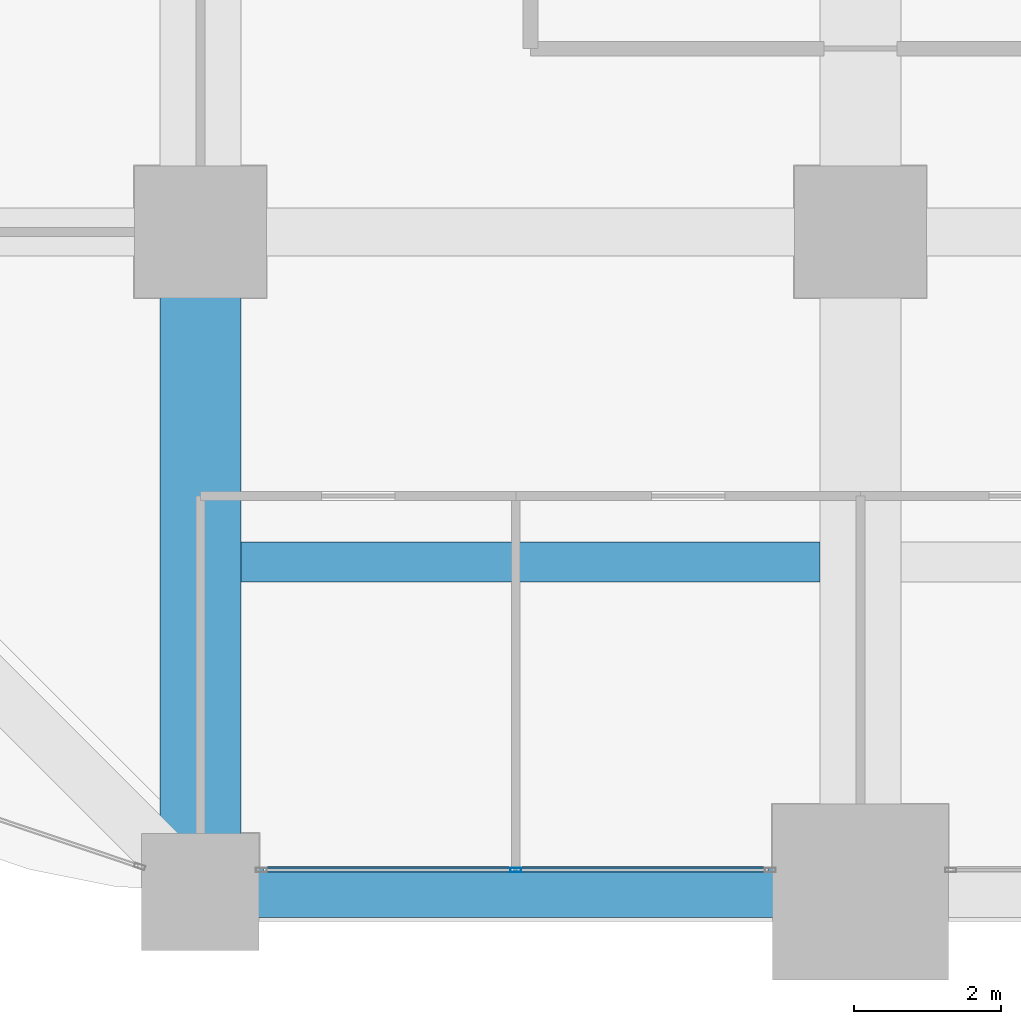
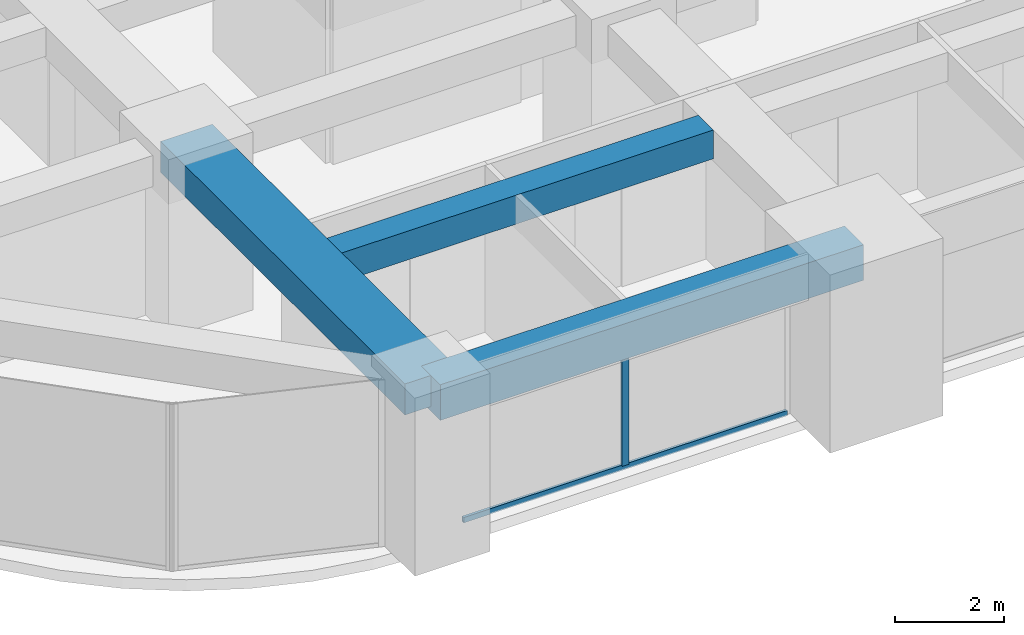
# One storey, part 3 of 40: 3 beams, 2 members, 1 element without a shape of its own.
"""IFC4 building model written with IfcOpenShell, lengths in metres."""

from ifc_helpers import new_model, si_unit, direction, frame, origin, origin_2d, place, context, subcontext, project, spatial, rectangle, hollow_rectangle, extrude, material, material_profile, profile_set, type_object, element, aggregate, save


model = new_model("IFC4")

# Units and contexts
model_context = context("Model", 3, precision=1e-05, world=origin(), true_north=direction((0.0, 1.0)))
body_context = subcontext(model_context, "Body", "Model", "MODEL_VIEW")
ifc_project = project(units=[si_unit("LENGTHUNIT", "METRE"), si_unit("AREAUNIT", "SQUARE_METRE"), si_unit("VOLUMEUNIT", "CUBIC_METRE"), si_unit("PLANEANGLEUNIT", "RADIAN"), si_unit("MASSUNIT", "GRAM", prefix="KILO")], contexts=[model_context])

# Site, building, storey
site_placement = place(None, origin())
site = spatial("IfcSite", under=ifc_project, at=site_placement, CompositionType="ELEMENT")
building_placement = place(site_placement, origin())
building = spatial("IfcBuilding", under=site, at=building_placement, Name="Zorevar Civic Tower", CompositionType="ELEMENT")
storey_placement = place(building_placement, frame((0.0, 0.0, 129.0)))
storey = spatial("IfcBuildingStorey", under=building, at=storey_placement, Name="L31", CompositionType="ELEMENT", Elevation=129.0)

# Beams
ifc_material_1 = material(Name="Concrete C50/60", Category="concrete")
ifc_material_profile_1 = material_profile(ifc_material_1, rectangle(XDim=1.10009765625, YDim=0.699951171875, at=origin_2d()), Name="RC 1100x700")
ifc_profile_set_1 = profile_set([ifc_material_profile_1], Name="Concrete C50/60")
beam_type_1 = type_object("IfcBeamType", Name="Beam RC 1100x700", PredefinedType="BEAM", material=ifc_profile_set_1)
beam_1_placement = place(storey_placement, frame((9.0, 0.0, 3.39990234375), z_axis=(0.0, 1.0, 0.0), x_axis=(-1.0, 0.0, 0.0)))
element("IfcBeam", 1, at=beam_1_placement, inside=storey, type_object=beam_type_1, Name="Girder L32", PredefinedType="BEAM", context=body_context, shape_type="SweptSolid", body=[
    extrude(rectangle(XDim=1.10009765625, YDim=0.699951171875, at=origin_2d()), origin(), (0.0, 0.0, 1.0), 9.0),
])
ifc_material_2 = material(Name="Concrete C50/60", Category="concrete")
ifc_material_profile_2 = material_profile(ifc_material_2, rectangle(XDim=0.550048828125, YDim=0.64990234375, at=origin_2d()), Name="RC 550x650")
ifc_profile_set_2 = profile_set([ifc_material_profile_2], Name="Concrete C50/60")
beam_type_2 = type_object("IfcBeamType", Name="Beam RC 550x650", PredefinedType="BEAM", material=ifc_profile_set_2)
beam_2_placement = place(storey_placement, frame((9.550048828125, 4.5, 3.425048828125), z_axis=(1.0, 0.0, 0.0), x_axis=(0.0, 1.0, 0.0)))
element("IfcBeam", 2, at=beam_2_placement, inside=storey, type_object=beam_type_2, Name="Secondary beam L32", PredefinedType="BEAM", context=body_context, shape_type="SweptSolid", body=[
    extrude(rectangle(XDim=0.550048828125, YDim=0.64990234375, at=origin_2d()), origin(), (0.0, 0.0, 1.0), 7.89990234375),
])

# Curtain wall, members
ifc_material_3 = material(Name="Dark grey solar-control glass in black aluminium frame", Category="aluminium")
curtain_wall_type = type_object("IfcCurtainWallType", Name="Curtain wall CW3 mid zone", PredefinedType="NOTDEFINED", material=ifc_material_3)
curtain_wall_placement = place(storey_placement, origin())
curtain_wall = element("IfcCurtainWall", 3, at=curtain_wall_placement, inside=storey, type_object=curtain_wall_type, Name="CW3 L31", PredefinedType="NOTDEFINED")
ifc_material_4 = material(Name="Aluminium, black anodised", Category="aluminium")
ifc_material_profile_3 = material_profile(ifc_material_4, hollow_rectangle(XDim=0.06005859375, YDim=0.14990234375, WallThickness=0.00390625, at=origin_2d()), Name="AL 150x60x4")
ifc_profile_set_3 = profile_set([ifc_material_profile_3], Name="Aluminium, black anodised")
member_type_1 = type_object("IfcMemberType", Name="CW3 mullion AL 150x60x4", PredefinedType="MULLION", material=ifc_profile_set_3)
member_1_placement = place(storey_placement, frame((13.300048828125, 0.300048828125, 0.06005859375), z_axis=(0.0, 0.0, 1.0), x_axis=(0.0, 1.0, 0.0)))
member_1 = element("IfcMember", 4, at=member_1_placement, type_object=member_type_1, Name="CW3 mullion 2", PredefinedType="MULLION", context=body_context, shape_type="SweptSolid", body=[
    extrude(hollow_rectangle(XDim=0.06005859375, YDim=0.14990234375, WallThickness=0.00390625, at=origin_2d()), origin(), (0.0, 0.0, 1.0), 2.889892578125),
])
ifc_material_5 = material(Name="Aluminium, black anodised", Category="aluminium")
ifc_material_profile_4 = material_profile(ifc_material_5, hollow_rectangle(XDim=0.06005859375, YDim=0.1201171875, WallThickness=0.0029296875, at=origin_2d()), Name="AL 120x60x3")
ifc_profile_set_4 = profile_set([ifc_material_profile_4], Name="Aluminium, black anodised")
member_type_2 = type_object("IfcMemberType", Name="CW3 transom AL 120x60x3", PredefinedType="USERDEFINED", material=ifc_profile_set_4)
member_2_placement = place(storey_placement, frame((9.860107421875, 0.300048828125, 0.030029296875), z_axis=(1.0, 0.0, 0.0), x_axis=(0.0, 1.0, 0.0)))
member_2 = element("IfcMember", 5, at=member_2_placement, type_object=member_type_2, Name="CW3 sill transom", ObjectType="TRANSOM", PredefinedType="USERDEFINED", context=body_context, shape_type="SweptSolid", body=[
    extrude(hollow_rectangle(XDim=0.06005859375, YDim=0.1201171875, WallThickness=0.0029296875, at=origin_2d()), origin(), (0.0, 0.0, 1.0), 6.8798828125),
])
aggregate(curtain_wall, [member_1, member_2])

# Beam
ifc_material_6 = material(Name="Concrete C50/60", Category="concrete")
ifc_material_profile_5 = material_profile(ifc_material_6, rectangle(XDim=0.699951171875, YDim=0.800048828125, at=origin_2d()), Name="RC 700x800")
ifc_profile_set_5 = profile_set([ifc_material_profile_5], Name="Concrete C50/60")
beam_type_3 = type_object("IfcBeamType", Name="Edge beam RC 700x800", PredefinedType="SPANDREL", material=ifc_profile_set_5)
beam_3_placement = place(storey_placement, frame((9.0, 0.0, 3.35009765625), z_axis=(1.0, 0.0, 0.0), x_axis=(0.0, 1.0, 0.0)))
element("IfcBeam", 6, at=beam_3_placement, inside=storey, type_object=beam_type_3, Name="Edge beam L32", PredefinedType="SPANDREL", context=body_context, shape_type="SweptSolid", body=[
    extrude(rectangle(XDim=0.699951171875, YDim=0.800048828125, at=origin_2d()), origin(), (0.0, 0.0, 1.0), 9.0),
])

save(model, "model.ifc")
